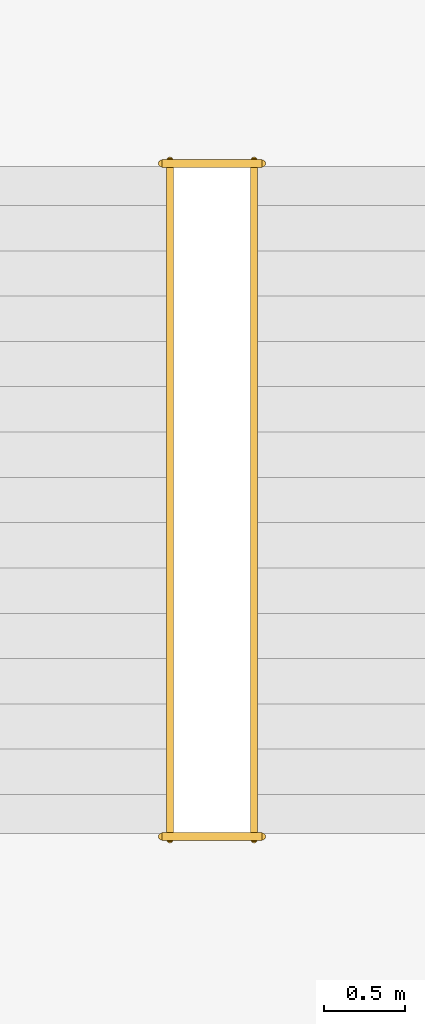
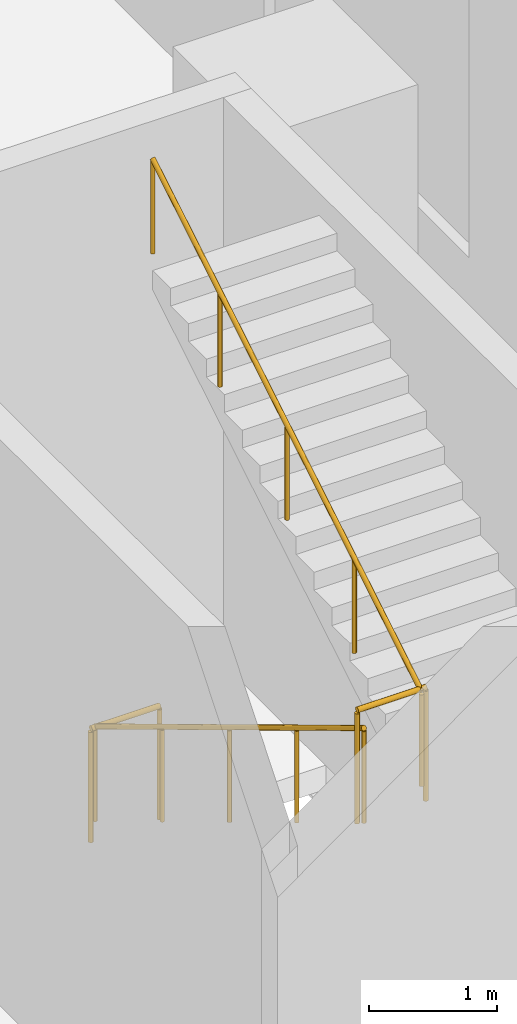
# One storey, part 20 of 20: 4 railings.
"""IFC4 building model written with IfcOpenShell, lengths in metres."""

from ifc_helpers import new_model, si_unit, direction, frame, origin, origin_2d, place, context, subcontext, project, spatial, circle, extrude, material, type_object, element, save


model = new_model("IFC4")

# Units and contexts
model_context = context("Model", 3, precision=1e-05, world=origin(), true_north=direction((0.0, 1.0)))
body_context = subcontext(model_context, "Body", "Model", "MODEL_VIEW")
ifc_project = project(units=[si_unit("LENGTHUNIT", "METRE"), si_unit("AREAUNIT", "SQUARE_METRE"), si_unit("VOLUMEUNIT", "CUBIC_METRE"), si_unit("PLANEANGLEUNIT", "RADIAN"), si_unit("MASSUNIT", "GRAM", prefix="KILO")], contexts=[model_context])

# Site, building, storey
site_placement = place(None, origin())
site = spatial("IfcSite", under=ifc_project, at=site_placement, CompositionType="ELEMENT")
building_placement = place(site_placement, origin())
building = spatial("IfcBuilding", under=site, at=building_placement, Name="Mawjdan Bourse Tower", CompositionType="ELEMENT")
storey_placement = place(building_placement, frame((0.0, 0.0, 5.39990234375)))
storey = spatial("IfcBuildingStorey", under=building, at=storey_placement, Name="L01", CompositionType="ELEMENT", Elevation=5.39990234375)

# Railings
ifc_material_1 = material(Name="Structural Steel S355", Category="steel")
railing_type_1 = type_object("IfcRailingType", Name="RLG-GRD-1100", PredefinedType="GUARDRAIL", material=ifc_material_1)
for number, where, name in (
    (1, (65.68994140625, 6.169921875, 2.7001953125), "L01 ST6 Landing Guardrail GL-MID"),
    (2, (65.68994140625, 10.330078125, 0.0), "L01 ST6 Landing Guardrail GL-BOT"),
):
    element("IfcRailing", number, at=place(storey_placement, frame(where)), inside=storey, type_object=railing_type_1, Name=name, PredefinedType="GUARDRAIL", context=body_context, shape_type="SweptSolid", body=[
        extrude(circle(Radius=0.02490234375, at=origin_2d()), frame((0.0, 0.0, 1.0751953125), z_axis=(1.0, 0.0, 0.0), x_axis=(0.0, 1.0, 0.0)), (0.0, 0.0, 1.0), 0.6201171875),
        extrude(circle(Radius=0.02099609375, at=origin_2d()), origin(), (0.0, 0.0, 1.0), 1.050048828125),
        extrude(circle(Radius=0.02099609375, at=origin_2d()), frame((0.6201171875, 0.0, 0.0)), (0.0, 0.0, 1.0), 1.050048828125),
    ])
ifc_material_2 = material(Name="Brushed Stainless Steel", Category="steel")
railing_type_2 = type_object("IfcRailingType", Name="RLG-HND-920", PredefinedType="HANDRAIL", material=ifc_material_2)
railing_1_placement = place(storey_placement, frame((65.739990234375, 10.35009765625, 0.1689453125)))
element("IfcRailing", 3, at=railing_1_placement, inside=storey, type_object=railing_type_2, Name="L01 ST6 Flight Handrail HR1", PredefinedType="HANDRAIL", context=body_context, shape_type="SweptSolid", body=[
    extrude(circle(Radius=0.0224609375, at=origin_2d()), frame((0.0, 0.0, 0.8974609375), z_axis=(0.0, -0.856489757249, 0.516164020179), x_axis=(1.0, 0.0, 0.0)), (0.0, 0.0, 1.0), 4.904052734375),
    extrude(circle(Radius=0.01904296875, at=origin_2d()), origin(), (0.0, 0.0, 1.0), 0.875),
    extrude(circle(Radius=0.01904296875, at=origin_2d()), frame((0.0, -1.050048828125, 0.6328125)), (0.0, 0.0, 1.0), 0.875),
    extrude(circle(Radius=0.01904296875, at=origin_2d()), frame((0.0, -2.10009765625, 1.265625)), (0.0, 0.0, 1.0), 0.875),
    extrude(circle(Radius=0.01904296875, at=origin_2d()), frame((0.0, -3.150146484375, 1.8984375)), (0.0, 0.0, 1.0), 0.875),
    extrude(circle(Radius=0.01904296875, at=origin_2d()), frame((0.0, -4.2001953125, 2.53125)), (0.0, 0.0, 1.0), 0.875),
])
railing_2_placement = place(storey_placement, frame((66.260009765625, 6.14990234375, 2.868896484375)))
element("IfcRailing", 4, at=railing_2_placement, inside=storey, type_object=railing_type_2, Name="L01 ST6 Flight Handrail HR2", PredefinedType="HANDRAIL", context=body_context, shape_type="SweptSolid", body=[
    extrude(circle(Radius=0.0224609375, at=origin_2d()), frame((0.0, 0.0, 0.8974609375), z_axis=(0.0, 0.856489757249, 0.516164020179), x_axis=(-1.0, 0.0, 0.0)), (0.0, 0.0, 1.0), 4.904052734375),
    extrude(circle(Radius=0.01904296875, at=origin_2d()), origin(), (0.0, 0.0, 1.0), 0.875),
    extrude(circle(Radius=0.01904296875, at=origin_2d()), frame((0.0, 1.050048828125, 0.6328125)), (0.0, 0.0, 1.0), 0.875),
    extrude(circle(Radius=0.01904296875, at=origin_2d()), frame((0.0, 2.10009765625, 1.265625)), (0.0, 0.0, 1.0), 0.875),
    extrude(circle(Radius=0.01904296875, at=origin_2d()), frame((0.0, 3.150146484375, 1.8984375)), (0.0, 0.0, 1.0), 0.875),
    extrude(circle(Radius=0.01904296875, at=origin_2d()), frame((0.0, 4.2001953125, 2.53125)), (0.0, 0.0, 1.0), 0.875),
])

save(model, "model.ifc")
